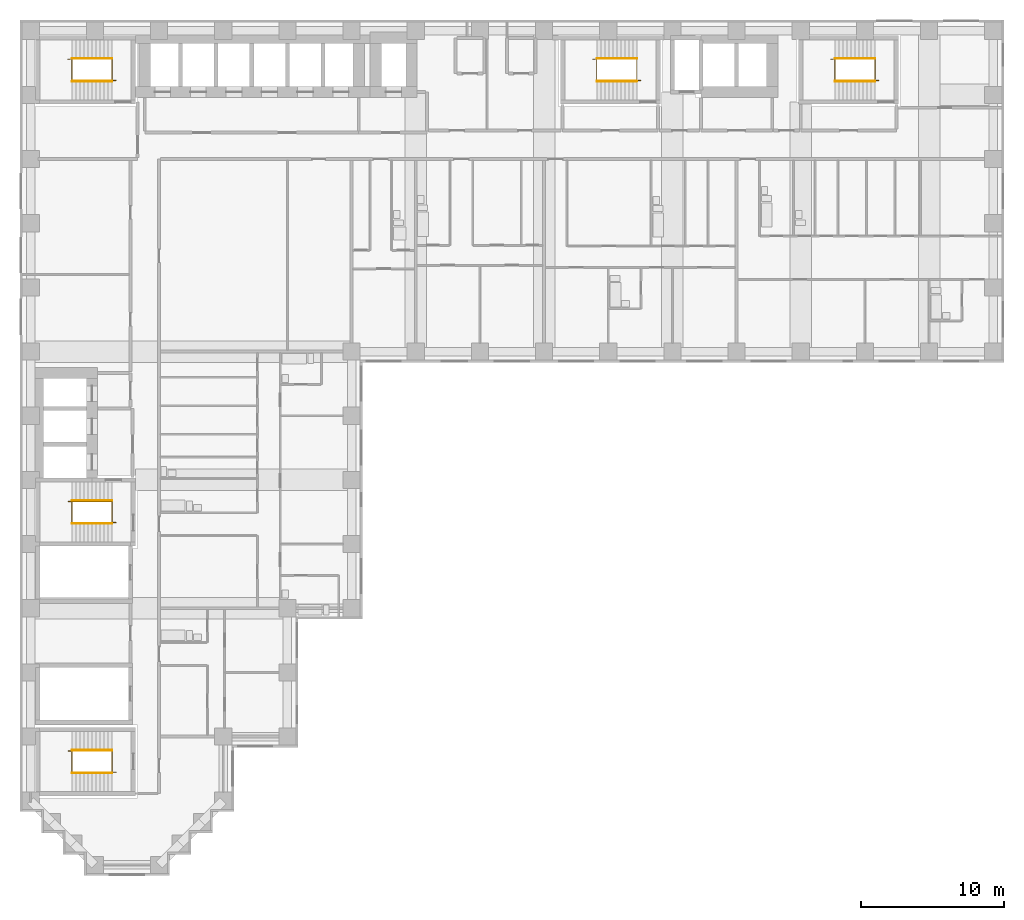
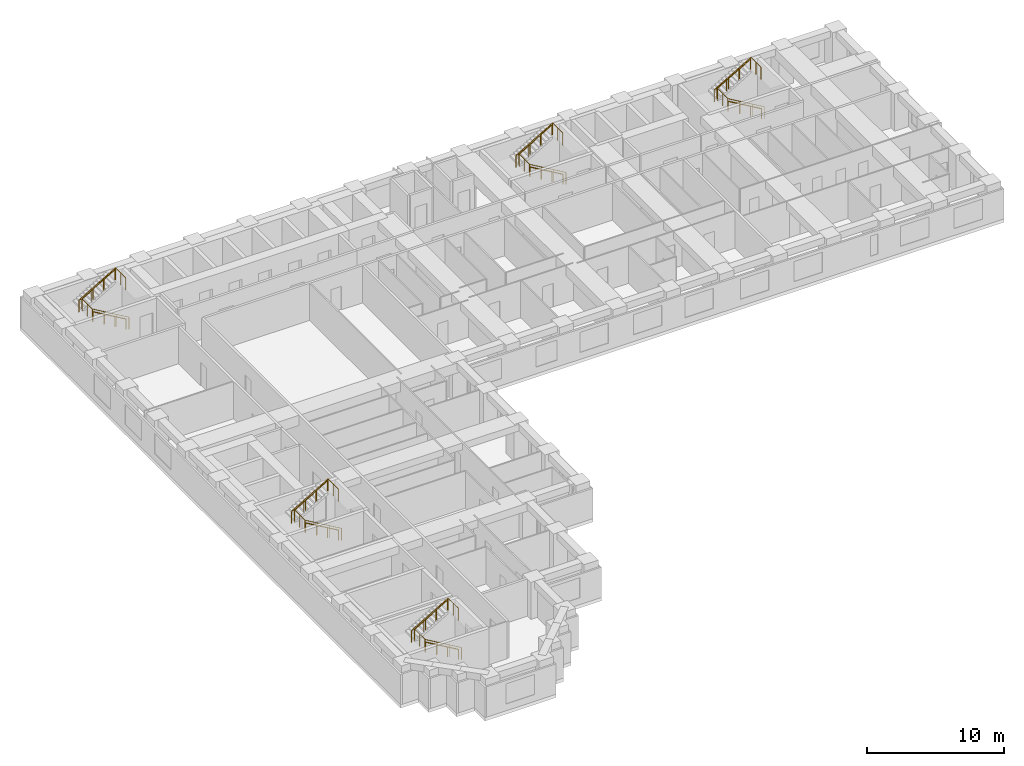
# One storey, part 11 of 12: 15 railings.
"""IFC4 building model written with IfcOpenShell, lengths in metres."""

import ifcopenshell
import ifcopenshell.guid

model = None  # the IFC model being written
_history = None  # IfcOwnerHistory: only IFC2X3 demands one
_inside = {}  # id of a spatial element -> (the spatial element, [elements in it])
_under = {}  # id of a project, library or spatial element -> (it, [spatial elements below it])
_declared = {}  # id of a project -> (the project, [libraries it declares])
_typed = {}  # id of a type object -> (the type object, [elements of that type])
_made_of = {}  # id of a material, layer set ... -> (it, [elements and type objects made of it])


def new_model(schema):
    """Start an empty IFC model of exactly this schema.

    Asked for "IFC4X3", IfcOpenShell would pick the latest addendum, in which some entities
    have other attributes; the version numbers below select the first issue.
    IFC2X3 requires an IfcOwnerHistory on every rooted entity: one is made here for all.
    """
    global model, _history
    if schema == "IFC4X3":
        model = ifcopenshell.file(schema_version=(4, 3, 0, 0))
    else:
        model = ifcopenshell.file(schema=schema)
    _inside.clear()
    _under.clear()
    _declared.clear()
    _typed.clear()
    _made_of.clear()
    _history = None
    if model.schema == "IFC2X3":
        org = make("IfcOrganization", Name="unknown")
        user = make(
            "IfcPersonAndOrganization",
            ThePerson=make("IfcPerson", FamilyName="unknown"),
            TheOrganization=org,
        )
        app = make(
            "IfcApplication",
            ApplicationDeveloper=org,
            Version="unknown",
            ApplicationFullName="unknown",
            ApplicationIdentifier="unknown",
        )
        _history = make(
            "IfcOwnerHistory",
            OwningUser=user,
            OwningApplication=app,
            ChangeAction="ADDED",
            CreationDate=0,
        )
    return model


def make(cls, **values):
    """One entity of the class cls with the attributes given. An attribute that is None is left unset."""
    return model.create_entity(
        cls, **{name: value for name, value in values.items() if value is not None}
    )


def rooted(cls, **values):
    """An entity with a GlobalId (a new one), such as an element, a storey or a relation."""
    return make(cls, GlobalId=ifcopenshell.guid.new(), OwnerHistory=_history, **values)


def si_unit(unit_type, name, prefix=None):
    """IfcSIUnit, for example si_unit("LENGTHUNIT", "METRE", prefix="MILLI")."""
    return make("IfcSIUnit", UnitType=unit_type, Prefix=prefix, Name=name)


def assignment(units):
    """IfcUnitAssignment: the units of a project."""
    return None if units is None else make("IfcUnitAssignment", Units=units)


def point(xyz):
    """IfcCartesianPoint."""
    return None if xyz is None else make("IfcCartesianPoint", Coordinates=xyz)


def direction(xyz):
    """IfcDirection."""
    return None if xyz is None else make("IfcDirection", DirectionRatios=xyz)


def frame(location, z_axis=None, x_axis=None):
    """IfcAxis2Placement3D, a coordinate frame: its origin and axes. An axis left out is left unset."""
    return make(
        "IfcAxis2Placement3D",
        Location=point(location),
        Axis=direction(z_axis),
        RefDirection=direction(x_axis),
    )


def frame_2d(location, x_axis=None):
    """IfcAxis2Placement2D, a coordinate frame in the plane: its origin and x axis."""
    return make(
        "IfcAxis2Placement2D", Location=point(location), RefDirection=direction(x_axis)
    )


def origin():
    """The frame at (0, 0, 0) with its axes left unset."""
    return frame((0.0, 0.0, 0.0))


def origin_2d():
    """The frame at (0, 0) in the plane with its x axis left unset."""
    return frame_2d((0.0, 0.0))


def place(relative_to, where):
    """IfcLocalPlacement: puts the frame where relative to a parent placement (None: the world)."""
    return make(
        "IfcLocalPlacement", PlacementRelTo=relative_to, RelativePlacement=where
    )


def context(
    kind, dimensions, precision=None, world=None, true_north=None, identifier=None
):
    """IfcGeometricRepresentationContext, for example the 3D "Model" context."""
    return make(
        "IfcGeometricRepresentationContext",
        ContextIdentifier=identifier,
        ContextType=kind,
        CoordinateSpaceDimension=dimensions,
        Precision=precision,
        WorldCoordinateSystem=world,
        TrueNorth=true_north,
    )


def subcontext(parent, identifier, kind, view, scale=None):
    """IfcGeometricRepresentationSubContext, for example "Body" below "Model"."""
    return make(
        "IfcGeometricRepresentationSubContext",
        ContextIdentifier=identifier,
        ContextType=kind,
        ParentContext=parent,
        TargetScale=scale,
        TargetView=view,
    )


def project(units=None, contexts=None):
    """IfcProject with its units and contexts."""
    return rooted(
        "IfcProject",
        Name="project",
        RepresentationContexts=contexts,
        UnitsInContext=assignment(units),
    )


def spatial(cls, under=None, at=None, **own):
    """A site, building, storey or space (cls), placed at a placement, below another one or the project."""
    s = rooted(cls, ObjectPlacement=at, **own)
    if under is not None:
        _under.setdefault(under.id(), (under, []))[1].append(s)
    return s


def profile(cls, at=None, kind="AREA", **sizes):
    """A parametric profile (cls). Its sizes go by their IFC names, for example OverallWidth=200.0."""
    return make(cls, ProfileType=kind, Position=at, **sizes)


def circle(**sizes):
    """IfcCircleProfileDef."""
    return profile("IfcCircleProfileDef", **sizes)


def extrude(swept, where, along, depth):
    """IfcExtrudedAreaSolid: the profile swept, set in the frame where, extruded along a direction by depth."""
    return make(
        "IfcExtrudedAreaSolid",
        SweptArea=swept,
        Position=where,
        ExtrudedDirection=direction(along),
        Depth=depth,
    )


def shape(context_of_items, identifier, shape_type, items):
    """IfcShapeRepresentation: the items that make up one representation, for example the "Body"."""
    return make(
        "IfcShapeRepresentation",
        ContextOfItems=context_of_items,
        RepresentationIdentifier=identifier,
        RepresentationType=shape_type,
        Items=items,
    )


def material(Name=None, Category=None):
    """IfcMaterial."""
    return make("IfcMaterial", Name=Name, Category=Category)


def made_of(thing, what):
    """Note that an element or type object is made of a material, layer set ...; save() writes the relation."""
    if what is not None:
        _made_of.setdefault(what.id(), (what, []))[1].append(thing)
    return thing


def type_object(cls, material=None, **own):
    """A type object (cls), such as IfcWallType, which elements share."""
    return made_of(rooted(cls, **own), material)


def element(
    cls,
    number,
    at=None,
    inside=None,
    cuts=None,
    type_object=None,
    material=None,
    context=None,
    identifier="Body",
    shape_type=None,
    held_by="IfcProductDefinitionShape",
    body=None,
    shapes=None,
    **own,
):
    """One element of the class cls, such as IfcWall. Its Tag is "e" and its number.

    at: its placement. inside: the storey or other place that contains it. cuts: it is an
    opening in that element (IfcRelVoidsElement). A single representation is given by context,
    identifier, shape_type and body (its items); several are given by shapes. held_by: the class
    of the entity that holds the representations. save() writes the other relations.
    """
    e = rooted(cls, Tag="e%d" % number, ObjectPlacement=at, **own)
    if body is not None:
        shapes = [shape(context, identifier, shape_type, body)]
    if shapes is not None:
        e.Representation = make(held_by, Representations=shapes)
    if inside is not None:
        _inside.setdefault(inside.id(), (inside, []))[1].append(e)
    if cuts is not None:
        rooted(
            "IfcRelVoidsElement", RelatingBuildingElement=cuts, RelatedOpeningElement=e
        )
    if type_object is not None:
        _typed.setdefault(type_object.id(), (type_object, []))[1].append(e)
    return made_of(e, material)


def aggregate(whole, parts):
    """IfcRelAggregates: a whole, such as a stair, and the parts it consists of."""
    return rooted("IfcRelAggregates", RelatingObject=whole, RelatedObjects=parts)


def save(model, path):
    """Write the relations noted so far, then the file.

    IfcRelAggregates (storeys below a building ...), IfcRelContainedInSpatialStructure (elements
    in a storey), IfcRelDefinesByType, IfcRelAssociatesMaterial and IfcRelDeclares: one each for
    every whole, place, type object, material and project.
    """
    for whole, parts in _under.values():
        aggregate(whole, parts)
    for where, things in _inside.values():
        rooted(
            "IfcRelContainedInSpatialStructure",
            RelatedElements=things,
            RelatingStructure=where,
        )
    for kind, things in _typed.values():
        rooted("IfcRelDefinesByType", RelatedObjects=things, RelatingType=kind)
    for what, things in _made_of.values():
        rooted("IfcRelAssociatesMaterial", RelatedObjects=things, RelatingMaterial=what)
    for by, libraries in _declared.values():
        rooted("IfcRelDeclares", RelatingContext=by, RelatedDefinitions=libraries)
    model.write(path)


model = new_model("IFC4")

# Units and contexts
model_context = context("Model", 3, precision=1e-05, world=origin(), true_north=direction((0.0, 1.0)))
body_context = subcontext(model_context, "Body", "Model", "MODEL_VIEW")
ifc_project = project(units=[si_unit("LENGTHUNIT", "METRE"), si_unit("AREAUNIT", "SQUARE_METRE"), si_unit("VOLUMEUNIT", "CUBIC_METRE"), si_unit("PLANEANGLEUNIT", "RADIAN"), si_unit("MASSUNIT", "GRAM", prefix="KILO")], contexts=[model_context])

# Site, building, storey
site_placement = place(None, origin())
site = spatial("IfcSite", under=ifc_project, at=site_placement, CompositionType="ELEMENT")
building_placement = place(site_placement, origin())
building = spatial("IfcBuilding", under=site, at=building_placement, Name="Firuza Court", CompositionType="ELEMENT")
storey_placement = place(building_placement, frame((0.0, 0.0, 101.0)))
storey = spatial("IfcBuildingStorey", under=building, at=storey_placement, Name="L25", CompositionType="ELEMENT", Elevation=101.0)

# Railings
ifc_material_1 = material(Name="Steel S355", Category="steel")
railing_type_1 = type_object("IfcRailingType", Name="Handrail 900", PredefinedType="HANDRAIL", material=ifc_material_1)
railing_1_placement = place(storey_placement, frame((42.5, 54.949951171875, 0.16357421875)))
element("IfcRailing", 1, at=railing_1_placement, inside=storey, type_object=railing_type_1, Name="Handrail S1 flight 1", PredefinedType="HANDRAIL", context=body_context, shape_type="SweptSolid", body=[
    extrude(circle(Radius=0.02490234375, at=origin_2d()), frame((0.0, 0.0, 0.875), z_axis=(-0.863360870873, 0.0, 0.504586966384), x_axis=(0.0, -1.0, 0.0)), (0.0, 0.0, 1.0), 3.2431640625),
    extrude(circle(Radius=0.02001953125, at=origin_2d()), origin(), (0.0, 0.0, 1.0), 0.849853515625),
    extrude(circle(Radius=0.02001953125, at=origin_2d()), frame((-0.933349609375, 0.0, 0.54541015625)), (0.0, 0.0, 1.0), 0.849853515625),
    extrude(circle(Radius=0.02001953125, at=origin_2d()), frame((-1.86669921875, 0.0, 1.091064453125)), (0.0, 0.0, 1.0), 0.849853515625),
    extrude(circle(Radius=0.02001953125, at=origin_2d()), frame((-2.800048828125, 0.0, 1.636474609375)), (0.0, 0.0, 1.0), 0.849853515625),
])
railing_2_placement = place(storey_placement, frame((39.699951171875, 56.550048828125, 1.963623046875)))
element("IfcRailing", 2, at=railing_2_placement, inside=storey, type_object=railing_type_1, Name="Handrail S1 flight 2", PredefinedType="HANDRAIL", context=body_context, shape_type="SweptSolid", body=[
    extrude(circle(Radius=0.02490234375, at=origin_2d()), frame((0.0, 0.0, 0.875), z_axis=(0.863360870873, 0.0, 0.504586966384), x_axis=(0.0, 1.0, 0.0)), (0.0, 0.0, 1.0), 3.2431640625),
    extrude(circle(Radius=0.02001953125, at=origin_2d()), origin(), (0.0, 0.0, 1.0), 0.849853515625),
    extrude(circle(Radius=0.02001953125, at=origin_2d()), frame((0.933349609375, 0.0, 0.54541015625)), (0.0, 0.0, 1.0), 0.849853515625),
    extrude(circle(Radius=0.02001953125, at=origin_2d()), frame((1.86669921875, 0.0, 1.091064453125)), (0.0, 0.0, 1.0), 0.849853515625),
    extrude(circle(Radius=0.02001953125, at=origin_2d()), frame((2.800048828125, 0.0, 1.636474609375)), (0.0, 0.0, 1.0), 0.849853515625),
])
railing_3_placement = place(storey_placement, frame((5.699951171875, 23.949951171875, 0.16357421875)))
element("IfcRailing", 3, at=railing_3_placement, inside=storey, type_object=railing_type_1, Name="Handrail S2 flight 1", PredefinedType="HANDRAIL", context=body_context, shape_type="SweptSolid", body=[
    extrude(circle(Radius=0.02490234375, at=origin_2d()), frame((0.0, 0.0, 0.875), z_axis=(-0.863360870873, 0.0, 0.504586966384), x_axis=(0.0, -1.0, 0.0)), (0.0, 0.0, 1.0), 3.2431640625),
    extrude(circle(Radius=0.02001953125, at=origin_2d()), origin(), (0.0, 0.0, 1.0), 0.849853515625),
    extrude(circle(Radius=0.02001953125, at=origin_2d()), frame((-0.933349609375, 0.0, 0.54541015625)), (0.0, 0.0, 1.0), 0.849853515625),
    extrude(circle(Radius=0.02001953125, at=origin_2d()), frame((-1.86669921875, 0.0, 1.091064453125)), (0.0, 0.0, 1.0), 0.849853515625),
    extrude(circle(Radius=0.02001953125, at=origin_2d()), frame((-2.800048828125, 0.0, 1.636474609375)), (0.0, 0.0, 1.0), 0.849853515625),
])
railing_4_placement = place(storey_placement, frame((2.89990234375, 25.550048828125, 1.963623046875)))
element("IfcRailing", 4, at=railing_4_placement, inside=storey, type_object=railing_type_1, Name="Handrail S2 flight 2", PredefinedType="HANDRAIL", context=body_context, shape_type="SweptSolid", body=[
    extrude(circle(Radius=0.02490234375, at=origin_2d()), frame((0.0, 0.0, 0.875), z_axis=(0.863360870873, 0.0, 0.504586966384), x_axis=(0.0, 1.0, 0.0)), (0.0, 0.0, 1.0), 3.2431640625),
    extrude(circle(Radius=0.02001953125, at=origin_2d()), origin(), (0.0, 0.0, 1.0), 0.849853515625),
    extrude(circle(Radius=0.02001953125, at=origin_2d()), frame((0.933349609375, 0.0, 0.54541015625)), (0.0, 0.0, 1.0), 0.849853515625),
    extrude(circle(Radius=0.02001953125, at=origin_2d()), frame((1.86669921875, 0.0, 1.091064453125)), (0.0, 0.0, 1.0), 0.849853515625),
    extrude(circle(Radius=0.02001953125, at=origin_2d()), frame((2.800048828125, 0.0, 1.636474609375)), (0.0, 0.0, 1.0), 0.849853515625),
])
railing_5_placement = place(storey_placement, frame((5.699951171875, 54.949951171875, 0.16357421875)))
element("IfcRailing", 5, at=railing_5_placement, inside=storey, type_object=railing_type_1, Name="Handrail S3 flight 1", PredefinedType="HANDRAIL", context=body_context, shape_type="SweptSolid", body=[
    extrude(circle(Radius=0.02490234375, at=origin_2d()), frame((0.0, 0.0, 0.875), z_axis=(-0.863360870873, 0.0, 0.504586966384), x_axis=(0.0, -1.0, 0.0)), (0.0, 0.0, 1.0), 3.2431640625),
    extrude(circle(Radius=0.02001953125, at=origin_2d()), origin(), (0.0, 0.0, 1.0), 0.849853515625),
    extrude(circle(Radius=0.02001953125, at=origin_2d()), frame((-0.933349609375, 0.0, 0.54541015625)), (0.0, 0.0, 1.0), 0.849853515625),
    extrude(circle(Radius=0.02001953125, at=origin_2d()), frame((-1.86669921875, 0.0, 1.091064453125)), (0.0, 0.0, 1.0), 0.849853515625),
    extrude(circle(Radius=0.02001953125, at=origin_2d()), frame((-2.800048828125, 0.0, 1.636474609375)), (0.0, 0.0, 1.0), 0.849853515625),
])
railing_6_placement = place(storey_placement, frame((2.89990234375, 56.550048828125, 1.963623046875)))
element("IfcRailing", 6, at=railing_6_placement, inside=storey, type_object=railing_type_1, Name="Handrail S3 flight 2", PredefinedType="HANDRAIL", context=body_context, shape_type="SweptSolid", body=[
    extrude(circle(Radius=0.02490234375, at=origin_2d()), frame((0.0, 0.0, 0.875), z_axis=(0.863360870873, 0.0, 0.504586966384), x_axis=(0.0, 1.0, 0.0)), (0.0, 0.0, 1.0), 3.2431640625),
    extrude(circle(Radius=0.02001953125, at=origin_2d()), origin(), (0.0, 0.0, 1.0), 0.849853515625),
    extrude(circle(Radius=0.02001953125, at=origin_2d()), frame((0.933349609375, 0.0, 0.54541015625)), (0.0, 0.0, 1.0), 0.849853515625),
    extrude(circle(Radius=0.02001953125, at=origin_2d()), frame((1.86669921875, 0.0, 1.091064453125)), (0.0, 0.0, 1.0), 0.849853515625),
    extrude(circle(Radius=0.02001953125, at=origin_2d()), frame((2.800048828125, 0.0, 1.636474609375)), (0.0, 0.0, 1.0), 0.849853515625),
])
railing_7_placement = place(storey_placement, frame((59.199951171875, 54.949951171875, 0.16357421875)))
element("IfcRailing", 7, at=railing_7_placement, inside=storey, type_object=railing_type_1, Name="Handrail S4 flight 1", PredefinedType="HANDRAIL", context=body_context, shape_type="SweptSolid", body=[
    extrude(circle(Radius=0.02490234375, at=origin_2d()), frame((0.0, 0.0, 0.875), z_axis=(-0.863360870873, 0.0, 0.504586966384), x_axis=(0.0, -1.0, 0.0)), (0.0, 0.0, 1.0), 3.2431640625),
    extrude(circle(Radius=0.02001953125, at=origin_2d()), origin(), (0.0, 0.0, 1.0), 0.849853515625),
    extrude(circle(Radius=0.02001953125, at=origin_2d()), frame((-0.933349609375, 0.0, 0.54541015625)), (0.0, 0.0, 1.0), 0.849853515625),
    extrude(circle(Radius=0.02001953125, at=origin_2d()), frame((-1.86669921875, 0.0, 1.091064453125)), (0.0, 0.0, 1.0), 0.849853515625),
    extrude(circle(Radius=0.02001953125, at=origin_2d()), frame((-2.800048828125, 0.0, 1.636474609375)), (0.0, 0.0, 1.0), 0.849853515625),
])
railing_8_placement = place(storey_placement, frame((56.39990234375, 56.550048828125, 1.963623046875)))
element("IfcRailing", 8, at=railing_8_placement, inside=storey, type_object=railing_type_1, Name="Handrail S4 flight 2", PredefinedType="HANDRAIL", context=body_context, shape_type="SweptSolid", body=[
    extrude(circle(Radius=0.02490234375, at=origin_2d()), frame((0.0, 0.0, 0.875), z_axis=(0.863360870873, 0.0, 0.504586966384), x_axis=(0.0, 1.0, 0.0)), (0.0, 0.0, 1.0), 3.2431640625),
    extrude(circle(Radius=0.02001953125, at=origin_2d()), origin(), (0.0, 0.0, 1.0), 0.849853515625),
    extrude(circle(Radius=0.02001953125, at=origin_2d()), frame((0.933349609375, 0.0, 0.54541015625)), (0.0, 0.0, 1.0), 0.849853515625),
    extrude(circle(Radius=0.02001953125, at=origin_2d()), frame((1.86669921875, 0.0, 1.091064453125)), (0.0, 0.0, 1.0), 0.849853515625),
    extrude(circle(Radius=0.02001953125, at=origin_2d()), frame((2.800048828125, 0.0, 1.636474609375)), (0.0, 0.0, 1.0), 0.849853515625),
])
railing_9_placement = place(storey_placement, frame((5.699951171875, 6.449951171875, 0.16357421875)))
element("IfcRailing", 9, at=railing_9_placement, inside=storey, type_object=railing_type_1, Name="Handrail S5 flight 1", PredefinedType="HANDRAIL", context=body_context, shape_type="SweptSolid", body=[
    extrude(circle(Radius=0.02490234375, at=origin_2d()), frame((0.0, 0.0, 0.875), z_axis=(-0.863360870873, 0.0, 0.504586966384), x_axis=(0.0, -1.0, 0.0)), (0.0, 0.0, 1.0), 3.2431640625),
    extrude(circle(Radius=0.02001953125, at=origin_2d()), origin(), (0.0, 0.0, 1.0), 0.849853515625),
    extrude(circle(Radius=0.02001953125, at=origin_2d()), frame((-0.933349609375, 0.0, 0.54541015625)), (0.0, 0.0, 1.0), 0.849853515625),
    extrude(circle(Radius=0.02001953125, at=origin_2d()), frame((-1.86669921875, 0.0, 1.091064453125)), (0.0, 0.0, 1.0), 0.849853515625),
    extrude(circle(Radius=0.02001953125, at=origin_2d()), frame((-2.800048828125, 0.0, 1.636474609375)), (0.0, 0.0, 1.0), 0.849853515625),
])
railing_10_placement = place(storey_placement, frame((2.89990234375, 8.050048828125, 1.963623046875)))
element("IfcRailing", 10, at=railing_10_placement, inside=storey, type_object=railing_type_1, Name="Handrail S5 flight 2", PredefinedType="HANDRAIL", context=body_context, shape_type="SweptSolid", body=[
    extrude(circle(Radius=0.02490234375, at=origin_2d()), frame((0.0, 0.0, 0.875), z_axis=(0.863360870873, 0.0, 0.504586966384), x_axis=(0.0, 1.0, 0.0)), (0.0, 0.0, 1.0), 3.2431640625),
    extrude(circle(Radius=0.02001953125, at=origin_2d()), origin(), (0.0, 0.0, 1.0), 0.849853515625),
    extrude(circle(Radius=0.02001953125, at=origin_2d()), frame((0.933349609375, 0.0, 0.54541015625)), (0.0, 0.0, 1.0), 0.849853515625),
    extrude(circle(Radius=0.02001953125, at=origin_2d()), frame((1.86669921875, 0.0, 1.091064453125)), (0.0, 0.0, 1.0), 0.849853515625),
    extrude(circle(Radius=0.02001953125, at=origin_2d()), frame((2.800048828125, 0.0, 1.636474609375)), (0.0, 0.0, 1.0), 0.849853515625),
])
ifc_material_2 = material(Name="Steel S355", Category="steel")
railing_type_2 = type_object("IfcRailingType", Name="Stair guard 1100", PredefinedType="GUARDRAIL", material=ifc_material_2)
railing_11_placement = place(storey_placement, frame((42.780029296875, 55.010009765625, 0.0)))
element("IfcRailing", 11, at=railing_11_placement, inside=storey, type_object=railing_type_2, Name="Stair well guard S1", PredefinedType="GUARDRAIL", context=body_context, shape_type="SweptSolid", body=[
    extrude(circle(Radius=0.02490234375, at=origin_2d()), frame((0.0, 0.0, 1.0751953125), z_axis=(-0.863371556955, 0.0, 0.504568681787), x_axis=(0.0, -1.0, 0.0)), (0.0, 0.0, 1.0), 3.5673828125),
    extrude(circle(Radius=0.02490234375, at=origin_2d()), frame((-3.080078125, 0.0, 2.875), z_axis=(0.0, 1.0, 0.0), x_axis=(-1.0, 0.0, 0.0)), (0.0, 0.0, 1.0), 1.47998046875),
    extrude(circle(Radius=0.02490234375, at=origin_2d()), frame((-3.080078125, 1.47998046875, 2.875), z_axis=(-1.0, 0.0, 0.0), x_axis=(0.0, -1.0, 0.0)), (0.0, 0.0, 1.0), 0.280029296875),
    extrude(circle(Radius=0.02490234375, at=origin_2d()), frame((-3.360107421875, 1.47998046875, 2.875), z_axis=(0.863371556955, 0.0, 0.504568681787), x_axis=(0.0, 1.0, 0.0)), (0.0, 0.0, 1.0), 3.5673828125),
    extrude(circle(Radius=0.02490234375, at=origin_2d()), frame((-0.280029296875, 1.47998046875, 4.67529296875), z_axis=(0.0, -1.0, 0.0), x_axis=(1.0, 0.0, 0.0)), (0.0, 0.0, 1.0), 1.47998046875),
    extrude(circle(Radius=0.02490234375, at=origin_2d()), origin(), (0.0, 0.0, 1.0), 1.050048828125),
    extrude(circle(Radius=0.02490234375, at=origin_2d()), frame((-1.026611328125, 0.0, 0.60009765625)), (0.0, 0.0, 1.0), 1.050048828125),
    extrude(circle(Radius=0.02490234375, at=origin_2d()), frame((-2.053466796875, 0.0, 1.199951171875)), (0.0, 0.0, 1.0), 1.050048828125),
    extrude(circle(Radius=0.02490234375, at=origin_2d()), frame((-3.080078125, 0.0, 1.800048828125)), (0.0, 0.0, 1.0), 1.050048828125),
    extrude(circle(Radius=0.02490234375, at=origin_2d()), frame((-3.080078125, 0.739990234375, 1.800048828125)), (0.0, 0.0, 1.0), 1.050048828125),
    extrude(circle(Radius=0.02490234375, at=origin_2d()), frame((-3.080078125, 1.47998046875, 1.800048828125)), (0.0, 0.0, 1.0), 1.050048828125),
    extrude(circle(Radius=0.02490234375, at=origin_2d()), frame((-3.360107421875, 1.47998046875, 1.800048828125)), (0.0, 0.0, 1.0), 1.050048828125),
    extrude(circle(Radius=0.02490234375, at=origin_2d()), frame((-2.33349609375, 1.47998046875, 2.400146484375)), (0.0, 0.0, 1.0), 1.050048828125),
    extrude(circle(Radius=0.02490234375, at=origin_2d()), frame((-1.306640625, 1.47998046875, 3.0)), (0.0, 0.0, 1.0), 1.050048828125),
    extrude(circle(Radius=0.02490234375, at=origin_2d()), frame((-0.280029296875, 1.47998046875, 3.60009765625)), (0.0, 0.0, 1.0), 1.050048828125),
    extrude(circle(Radius=0.02490234375, at=origin_2d()), frame((-0.280029296875, 0.739990234375, 3.60009765625)), (0.0, 0.0, 1.0), 1.050048828125),
    extrude(circle(Radius=0.02490234375, at=origin_2d()), frame((-0.280029296875, 0.0, 3.60009765625)), (0.0, 0.0, 1.0), 1.050048828125),
])
railing_12_placement = place(storey_placement, frame((5.97998046875, 24.010009765625, 0.0)))
element("IfcRailing", 12, at=railing_12_placement, inside=storey, type_object=railing_type_2, Name="Stair well guard S2", PredefinedType="GUARDRAIL", context=body_context, shape_type="SweptSolid", body=[
    extrude(circle(Radius=0.02490234375, at=origin_2d()), frame((0.0, 0.0, 1.0751953125), z_axis=(-0.863371556955, 0.0, 0.504568681787), x_axis=(0.0, -1.0, 0.0)), (0.0, 0.0, 1.0), 3.5673828125),
    extrude(circle(Radius=0.02490234375, at=origin_2d()), frame((-3.080078125, 0.0, 2.875), z_axis=(0.0, 1.0, 0.0), x_axis=(-1.0, 0.0, 0.0)), (0.0, 0.0, 1.0), 1.47998046875),
    extrude(circle(Radius=0.02490234375, at=origin_2d()), frame((-3.080078125, 1.47998046875, 2.875), z_axis=(-1.0, 0.0, 0.0), x_axis=(0.0, -1.0, 0.0)), (0.0, 0.0, 1.0), 0.27978515625),
    extrude(circle(Radius=0.02490234375, at=origin_2d()), frame((-3.35986328125, 1.47998046875, 2.875), z_axis=(0.863354132664, 0.0, 0.504598495452), x_axis=(0.0, 1.0, 0.0)), (0.0, 0.0, 1.0), 3.5673828125),
    extrude(circle(Radius=0.02490234375, at=origin_2d()), frame((-0.280029296875, 1.47998046875, 4.67529296875), z_axis=(0.0, -1.0, 0.0), x_axis=(1.0, 0.0, 0.0)), (0.0, 0.0, 1.0), 1.47998046875),
    extrude(circle(Radius=0.02490234375, at=origin_2d()), origin(), (0.0, 0.0, 1.0), 1.050048828125),
    extrude(circle(Radius=0.02490234375, at=origin_2d()), frame((-1.026611328125, 0.0, 0.60009765625)), (0.0, 0.0, 1.0), 1.050048828125),
    extrude(circle(Radius=0.02490234375, at=origin_2d()), frame((-2.053466796875, 0.0, 1.199951171875)), (0.0, 0.0, 1.0), 1.050048828125),
    extrude(circle(Radius=0.02490234375, at=origin_2d()), frame((-3.080078125, 0.0, 1.800048828125)), (0.0, 0.0, 1.0), 1.050048828125),
    extrude(circle(Radius=0.02490234375, at=origin_2d()), frame((-3.080078125, 0.739990234375, 1.800048828125)), (0.0, 0.0, 1.0), 1.050048828125),
    extrude(circle(Radius=0.02490234375, at=origin_2d()), frame((-3.080078125, 1.47998046875, 1.800048828125)), (0.0, 0.0, 1.0), 1.050048828125),
    extrude(circle(Radius=0.02490234375, at=origin_2d()), frame((-3.35986328125, 1.47998046875, 1.800048828125)), (0.0, 0.0, 1.0), 1.050048828125),
    extrude(circle(Radius=0.02490234375, at=origin_2d()), frame((-2.333251953125, 1.47998046875, 2.400146484375)), (0.0, 0.0, 1.0), 1.050048828125),
    extrude(circle(Radius=0.02490234375, at=origin_2d()), frame((-1.306640625, 1.47998046875, 3.0)), (0.0, 0.0, 1.0), 1.050048828125),
    extrude(circle(Radius=0.02490234375, at=origin_2d()), frame((-0.280029296875, 1.47998046875, 3.60009765625)), (0.0, 0.0, 1.0), 1.050048828125),
    extrude(circle(Radius=0.02490234375, at=origin_2d()), frame((-0.280029296875, 0.739990234375, 3.60009765625)), (0.0, 0.0, 1.0), 1.050048828125),
    extrude(circle(Radius=0.02490234375, at=origin_2d()), frame((-0.280029296875, 0.0, 3.60009765625)), (0.0, 0.0, 1.0), 1.050048828125),
])
railing_13_placement = place(storey_placement, frame((5.97998046875, 55.010009765625, 0.0)))
element("IfcRailing", 13, at=railing_13_placement, inside=storey, type_object=railing_type_2, Name="Stair well guard S3", PredefinedType="GUARDRAIL", context=body_context, shape_type="SweptSolid", body=[
    extrude(circle(Radius=0.02490234375, at=origin_2d()), frame((0.0, 0.0, 1.0751953125), z_axis=(-0.863371556955, 0.0, 0.504568681787), x_axis=(0.0, -1.0, 0.0)), (0.0, 0.0, 1.0), 3.5673828125),
    extrude(circle(Radius=0.02490234375, at=origin_2d()), frame((-3.080078125, 0.0, 2.875), z_axis=(0.0, 1.0, 0.0), x_axis=(-1.0, 0.0, 0.0)), (0.0, 0.0, 1.0), 1.47998046875),
    extrude(circle(Radius=0.02490234375, at=origin_2d()), frame((-3.080078125, 1.47998046875, 2.875), z_axis=(-1.0, 0.0, 0.0), x_axis=(0.0, -1.0, 0.0)), (0.0, 0.0, 1.0), 0.27978515625),
    extrude(circle(Radius=0.02490234375, at=origin_2d()), frame((-3.35986328125, 1.47998046875, 2.875), z_axis=(0.863354132664, 0.0, 0.504598495452), x_axis=(0.0, 1.0, 0.0)), (0.0, 0.0, 1.0), 3.5673828125),
    extrude(circle(Radius=0.02490234375, at=origin_2d()), frame((-0.280029296875, 1.47998046875, 4.67529296875), z_axis=(0.0, -1.0, 0.0), x_axis=(1.0, 0.0, 0.0)), (0.0, 0.0, 1.0), 1.47998046875),
    extrude(circle(Radius=0.02490234375, at=origin_2d()), origin(), (0.0, 0.0, 1.0), 1.050048828125),
    extrude(circle(Radius=0.02490234375, at=origin_2d()), frame((-1.026611328125, 0.0, 0.60009765625)), (0.0, 0.0, 1.0), 1.050048828125),
    extrude(circle(Radius=0.02490234375, at=origin_2d()), frame((-2.053466796875, 0.0, 1.199951171875)), (0.0, 0.0, 1.0), 1.050048828125),
    extrude(circle(Radius=0.02490234375, at=origin_2d()), frame((-3.080078125, 0.0, 1.800048828125)), (0.0, 0.0, 1.0), 1.050048828125),
    extrude(circle(Radius=0.02490234375, at=origin_2d()), frame((-3.080078125, 0.739990234375, 1.800048828125)), (0.0, 0.0, 1.0), 1.050048828125),
    extrude(circle(Radius=0.02490234375, at=origin_2d()), frame((-3.080078125, 1.47998046875, 1.800048828125)), (0.0, 0.0, 1.0), 1.050048828125),
    extrude(circle(Radius=0.02490234375, at=origin_2d()), frame((-3.35986328125, 1.47998046875, 1.800048828125)), (0.0, 0.0, 1.0), 1.050048828125),
    extrude(circle(Radius=0.02490234375, at=origin_2d()), frame((-2.333251953125, 1.47998046875, 2.400146484375)), (0.0, 0.0, 1.0), 1.050048828125),
    extrude(circle(Radius=0.02490234375, at=origin_2d()), frame((-1.306640625, 1.47998046875, 3.0)), (0.0, 0.0, 1.0), 1.050048828125),
    extrude(circle(Radius=0.02490234375, at=origin_2d()), frame((-0.280029296875, 1.47998046875, 3.60009765625)), (0.0, 0.0, 1.0), 1.050048828125),
    extrude(circle(Radius=0.02490234375, at=origin_2d()), frame((-0.280029296875, 0.739990234375, 3.60009765625)), (0.0, 0.0, 1.0), 1.050048828125),
    extrude(circle(Radius=0.02490234375, at=origin_2d()), frame((-0.280029296875, 0.0, 3.60009765625)), (0.0, 0.0, 1.0), 1.050048828125),
])
railing_14_placement = place(storey_placement, frame((59.47998046875, 55.010009765625, 0.0)))
element("IfcRailing", 14, at=railing_14_placement, inside=storey, type_object=railing_type_2, Name="Stair well guard S4", PredefinedType="GUARDRAIL", context=body_context, shape_type="SweptSolid", body=[
    extrude(circle(Radius=0.02490234375, at=origin_2d()), frame((0.0, 0.0, 1.0751953125), z_axis=(-0.863371556955, 0.0, 0.504568681787), x_axis=(0.0, -1.0, 0.0)), (0.0, 0.0, 1.0), 3.5673828125),
    extrude(circle(Radius=0.02490234375, at=origin_2d()), frame((-3.080078125, 0.0, 2.875), z_axis=(0.0, 1.0, 0.0), x_axis=(-1.0, 0.0, 0.0)), (0.0, 0.0, 1.0), 1.47998046875),
    extrude(circle(Radius=0.02490234375, at=origin_2d()), frame((-3.080078125, 1.47998046875, 2.875), z_axis=(-1.0, 0.0, 0.0), x_axis=(0.0, -1.0, 0.0)), (0.0, 0.0, 1.0), 0.27978515625),
    extrude(circle(Radius=0.02490234375, at=origin_2d()), frame((-3.35986328125, 1.47998046875, 2.875), z_axis=(0.863354132664, 0.0, 0.504598495452), x_axis=(0.0, 1.0, 0.0)), (0.0, 0.0, 1.0), 3.5673828125),
    extrude(circle(Radius=0.02490234375, at=origin_2d()), frame((-0.280029296875, 1.47998046875, 4.67529296875), z_axis=(0.0, -1.0, 0.0), x_axis=(1.0, 0.0, 0.0)), (0.0, 0.0, 1.0), 1.47998046875),
    extrude(circle(Radius=0.02490234375, at=origin_2d()), origin(), (0.0, 0.0, 1.0), 1.050048828125),
    extrude(circle(Radius=0.02490234375, at=origin_2d()), frame((-1.026611328125, 0.0, 0.60009765625)), (0.0, 0.0, 1.0), 1.050048828125),
    extrude(circle(Radius=0.02490234375, at=origin_2d()), frame((-2.053466796875, 0.0, 1.199951171875)), (0.0, 0.0, 1.0), 1.050048828125),
    extrude(circle(Radius=0.02490234375, at=origin_2d()), frame((-3.080078125, 0.0, 1.800048828125)), (0.0, 0.0, 1.0), 1.050048828125),
    extrude(circle(Radius=0.02490234375, at=origin_2d()), frame((-3.080078125, 0.739990234375, 1.800048828125)), (0.0, 0.0, 1.0), 1.050048828125),
    extrude(circle(Radius=0.02490234375, at=origin_2d()), frame((-3.080078125, 1.47998046875, 1.800048828125)), (0.0, 0.0, 1.0), 1.050048828125),
    extrude(circle(Radius=0.02490234375, at=origin_2d()), frame((-3.35986328125, 1.47998046875, 1.800048828125)), (0.0, 0.0, 1.0), 1.050048828125),
    extrude(circle(Radius=0.02490234375, at=origin_2d()), frame((-2.333251953125, 1.47998046875, 2.400146484375)), (0.0, 0.0, 1.0), 1.050048828125),
    extrude(circle(Radius=0.02490234375, at=origin_2d()), frame((-1.306640625, 1.47998046875, 3.0)), (0.0, 0.0, 1.0), 1.050048828125),
    extrude(circle(Radius=0.02490234375, at=origin_2d()), frame((-0.280029296875, 1.47998046875, 3.60009765625)), (0.0, 0.0, 1.0), 1.050048828125),
    extrude(circle(Radius=0.02490234375, at=origin_2d()), frame((-0.280029296875, 0.739990234375, 3.60009765625)), (0.0, 0.0, 1.0), 1.050048828125),
    extrude(circle(Radius=0.02490234375, at=origin_2d()), frame((-0.280029296875, 0.0, 3.60009765625)), (0.0, 0.0, 1.0), 1.050048828125),
])
railing_15_placement = place(storey_placement, frame((5.97998046875, 6.510009765625, 0.0)))
element("IfcRailing", 15, at=railing_15_placement, inside=storey, type_object=railing_type_2, Name="Stair well guard S5", PredefinedType="GUARDRAIL", context=body_context, shape_type="SweptSolid", body=[
    extrude(circle(Radius=0.02490234375, at=origin_2d()), frame((0.0, 0.0, 1.0751953125), z_axis=(-0.863371556955, 0.0, 0.504568681787), x_axis=(0.0, -1.0, 0.0)), (0.0, 0.0, 1.0), 3.5673828125),
    extrude(circle(Radius=0.02490234375, at=origin_2d()), frame((-3.080078125, 0.0, 2.875), z_axis=(0.0, 1.0, 0.0), x_axis=(-1.0, 0.0, 0.0)), (0.0, 0.0, 1.0), 1.47998046875),
    extrude(circle(Radius=0.02490234375, at=origin_2d()), frame((-3.080078125, 1.47998046875, 2.875), z_axis=(-1.0, 0.0, 0.0), x_axis=(0.0, -1.0, 0.0)), (0.0, 0.0, 1.0), 0.27978515625),
    extrude(circle(Radius=0.02490234375, at=origin_2d()), frame((-3.35986328125, 1.47998046875, 2.875), z_axis=(0.863354132664, 0.0, 0.504598495452), x_axis=(0.0, 1.0, 0.0)), (0.0, 0.0, 1.0), 3.5673828125),
    extrude(circle(Radius=0.02490234375, at=origin_2d()), frame((-0.280029296875, 1.47998046875, 4.67529296875), z_axis=(0.0, -1.0, 0.0), x_axis=(1.0, 0.0, 0.0)), (0.0, 0.0, 1.0), 1.47998046875),
    extrude(circle(Radius=0.02490234375, at=origin_2d()), origin(), (0.0, 0.0, 1.0), 1.050048828125),
    extrude(circle(Radius=0.02490234375, at=origin_2d()), frame((-1.026611328125, 0.0, 0.60009765625)), (0.0, 0.0, 1.0), 1.050048828125),
    extrude(circle(Radius=0.02490234375, at=origin_2d()), frame((-2.053466796875, 0.0, 1.199951171875)), (0.0, 0.0, 1.0), 1.050048828125),
    extrude(circle(Radius=0.02490234375, at=origin_2d()), frame((-3.080078125, 0.0, 1.800048828125)), (0.0, 0.0, 1.0), 1.050048828125),
    extrude(circle(Radius=0.02490234375, at=origin_2d()), frame((-3.080078125, 0.739990234375, 1.800048828125)), (0.0, 0.0, 1.0), 1.050048828125),
    extrude(circle(Radius=0.02490234375, at=origin_2d()), frame((-3.080078125, 1.47998046875, 1.800048828125)), (0.0, 0.0, 1.0), 1.050048828125),
    extrude(circle(Radius=0.02490234375, at=origin_2d()), frame((-3.35986328125, 1.47998046875, 1.800048828125)), (0.0, 0.0, 1.0), 1.050048828125),
    extrude(circle(Radius=0.02490234375, at=origin_2d()), frame((-2.333251953125, 1.47998046875, 2.400146484375)), (0.0, 0.0, 1.0), 1.050048828125),
    extrude(circle(Radius=0.02490234375, at=origin_2d()), frame((-1.306640625, 1.47998046875, 3.0)), (0.0, 0.0, 1.0), 1.050048828125),
    extrude(circle(Radius=0.02490234375, at=origin_2d()), frame((-0.280029296875, 1.47998046875, 3.60009765625)), (0.0, 0.0, 1.0), 1.050048828125),
    extrude(circle(Radius=0.02490234375, at=origin_2d()), frame((-0.280029296875, 0.739990234375, 3.60009765625)), (0.0, 0.0, 1.0), 1.050048828125),
    extrude(circle(Radius=0.02490234375, at=origin_2d()), frame((-0.280029296875, 0.0, 3.60009765625)), (0.0, 0.0, 1.0), 1.050048828125),
])

save(model, "model.ifc")
